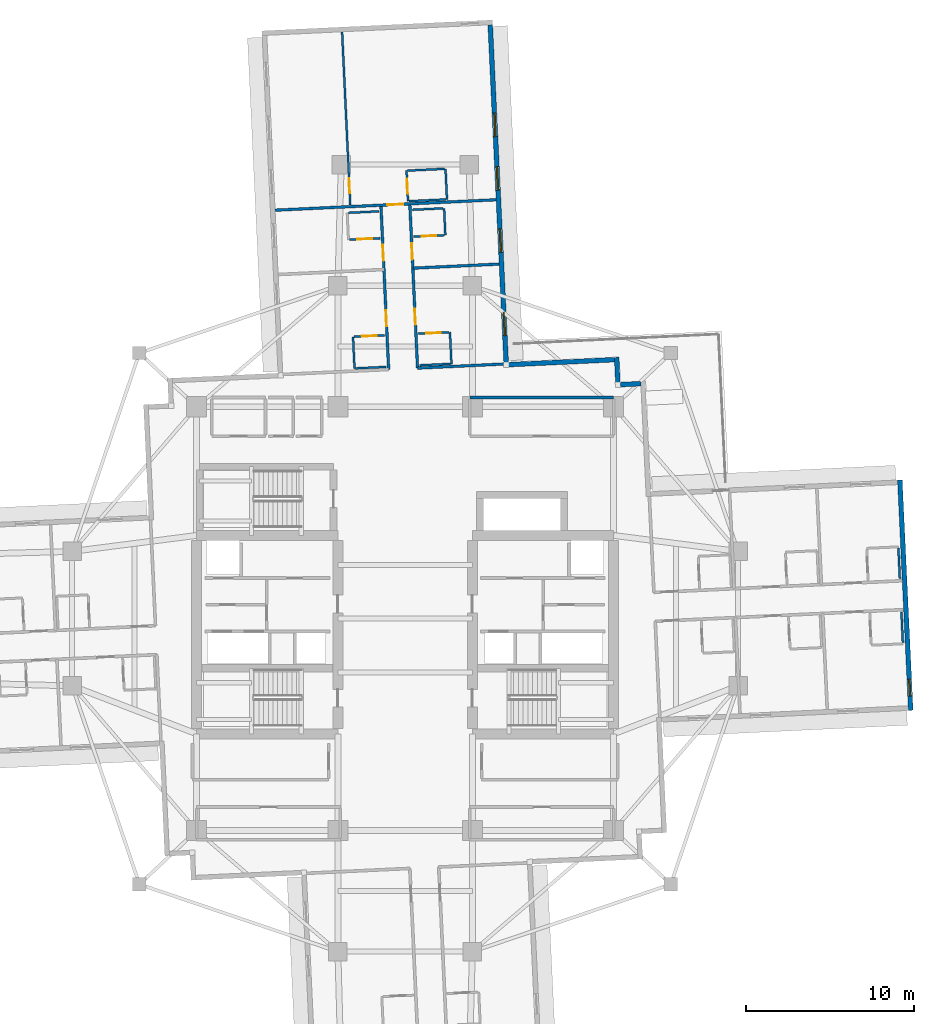
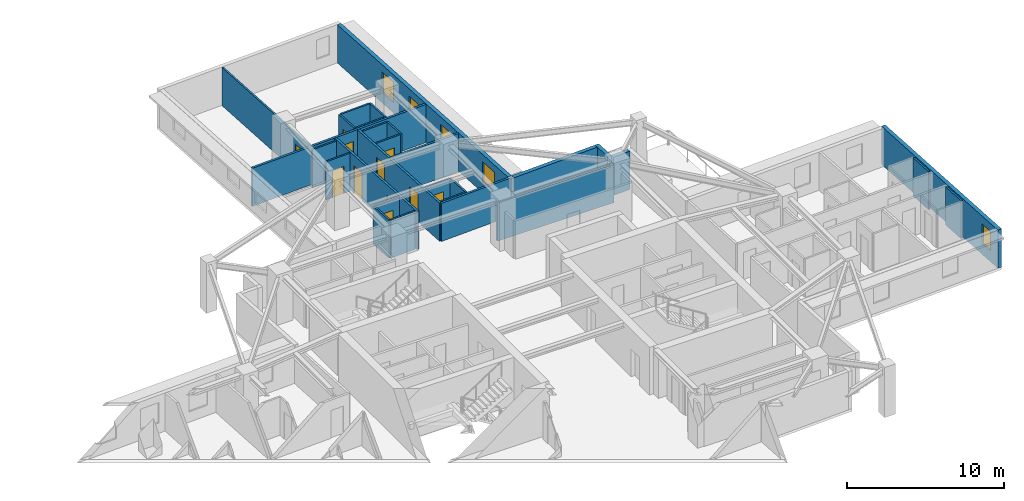
# One storey, part 8 of 14: 29 walls, 11 doors, 5 windows, 16 openings.
"""IFC4 building model written with IfcOpenShell, lengths in metres."""

from ifc_helpers import new_model, si_unit, direction, frame, frame_2d, origin, place, context, subcontext, project, spatial, rectangle, extrude, material, layer, layer_set, type_object, element, fill, save


model = new_model("IFC4")

# Units and contexts
model_context = context("Model", 3, precision=1e-05, world=origin(), true_north=direction((0.0, 1.0)))
body_context = subcontext(model_context, "Body", "Model", "MODEL_VIEW")
ifc_project = project(units=[si_unit("LENGTHUNIT", "METRE"), si_unit("AREAUNIT", "SQUARE_METRE"), si_unit("VOLUMEUNIT", "CUBIC_METRE"), si_unit("PLANEANGLEUNIT", "RADIAN"), si_unit("MASSUNIT", "GRAM", prefix="KILO")], contexts=[model_context])

# Site, building, storey
site_placement = place(None, origin())
site = spatial("IfcSite", under=ifc_project, at=site_placement, CompositionType="ELEMENT")
building_placement = place(site_placement, origin())
building = spatial("IfcBuilding", under=site, at=building_placement, Name="Qingluan Cross Belvedere", CompositionType="ELEMENT")
storey_placement = place(building_placement, frame((0.0, 0.0, 132.0)))
storey = spatial("IfcBuildingStorey", under=building, at=storey_placement, Name="L33", CompositionType="ELEMENT", Elevation=132.0)

# Wall
ifc_material_1 = material(Name="Gypsum plasterboard on steel stud acoustic partition", Category="steel")
ifc_layer_1 = layer(ifc_material_1, 0.159912109375, Name="CorridorPartition_160")
ifc_layer_set_1 = layer_set([ifc_layer_1], Name="Gypsum plasterboard on steel stud acoustic partition")
wall_type_1 = type_object("IfcWallType", Name="CorridorPartition_160", PredefinedType="PARTITIONING", material=ifc_layer_set_1)
wall_1_placement = place(storey_placement, frame((3.85009765625, 13.14990234375, 0.0), z_axis=(0.0, 0.0, 1.0), x_axis=(1.0, 0.0, 0.0)))
element("IfcWall", 1, at=wall_1_placement, inside=storey, type_object=wall_type_1, Name="Partition L33:q_ne:N", PredefinedType="PARTITIONING", context=body_context, shape_type="SweptSolid", body=[
    extrude(rectangle(XDim=8.5498046875, YDim=0.159912109375, at=frame_2d((4.27490234375, 0.0))), origin(), (0.0, 0.0, 1.0), 2.9599609375),
])

# Wall, openings, doors
wall_2_placement = place(storey_placement, frame((0.739013671875, 14.9013671875, 0.0), z_axis=(0.0, 0.0, 1.0), x_axis=(-0.047116711769, 0.99888939101, 0.0)))
wall_2 = element("IfcWall", 2, at=wall_2_placement, inside=storey, type_object=wall_type_1, Name="Partition L33:N:c0", PredefinedType="PARTITIONING", context=body_context, shape_type="SweptSolid", body=[
    extrude(rectangle(XDim=9.699951171875, YDim=0.159912109375, at=frame_2d((4.85009765625, 0.0))), origin(), (0.0, 0.0, 1.0), 2.9599609375),
])
opening_1_placement = place(wall_2_placement, frame((2.574951171875, 0.0, 0.0)))
opening_1 = element("IfcOpeningElement", 3, at=opening_1_placement, cuts=wall_2, Name="Opening GD-10", PredefinedType="OPENING", context=body_context, shape_type="SweptSolid", body=[
    extrude(rectangle(XDim=0.9599609375, YDim=2.14990234375, at=frame_2d((0.47998046875, 1.074951171875))), frame((0.0, 0.08984375, 0.0), z_axis=(0.0, -1.0, 0.0), x_axis=(1.0, 0.0, 0.0)), (0.0, 0.0, 1.0), 0.179931640625),
])
opening_2_placement = place(wall_2_placement, frame((6.467041015625, 0.0, 0.0)))
opening_2 = element("IfcOpeningElement", 4, at=opening_2_placement, cuts=wall_2, Name="Opening GD-10", PredefinedType="OPENING", context=body_context, shape_type="SweptSolid", body=[
    extrude(rectangle(XDim=0.9599609375, YDim=2.14990234375, at=frame_2d((0.47998046875, 1.074951171875))), frame((0.0, 0.08984375, 0.0), z_axis=(0.0, -1.0, 0.0), x_axis=(1.0, 0.0, 0.0)), (0.0, 0.0, 1.0), 0.179931640625),
])
ifc_material_2 = material(Name="Timber oak fire-rated acoustic guestroom door", Category="wood")
door_type_1 = type_object("IfcDoorType", Name="GuestEntryDoor_FD60", OperationType="NOTDEFINED", PredefinedType="DOOR", material=ifc_material_2)
door_1_placement = place(opening_1_placement, origin())
door_1 = element("IfcDoor", 5, at=door_1_placement, inside=storey, type_object=door_type_1, Name="Guest entry fire door 3311", OperationType="SINGLE_SWING_RIGHT", OverallHeight=2.14990234375, OverallWidth=0.9599609375, PredefinedType="DOOR", context=body_context, shape_type="SweptSolid", body=[
    extrude(rectangle(XDim=0.9599609375, YDim=2.14990234375, at=frame_2d((0.47998046875, 1.074951171875))), frame((0.0, 0.02490234375, 0.0), z_axis=(0.0, -1.0, 0.0), x_axis=(1.0, 0.0, 0.0)), (0.0, 0.0, 1.0), 0.050048828125),
])
fill(opening_1, door_1)
door_2_placement = place(opening_2_placement, origin())
door_2 = element("IfcDoor", 6, at=door_2_placement, inside=storey, type_object=door_type_1, Name="Guest entry fire door 3312", OperationType="SINGLE_SWING_RIGHT", OverallHeight=2.14990234375, OverallWidth=0.9599609375, PredefinedType="DOOR", context=body_context, shape_type="SweptSolid", body=[
    extrude(rectangle(XDim=0.9599609375, YDim=2.14990234375, at=frame_2d((0.47998046875, 1.074951171875))), frame((0.0, 0.02490234375, 0.0), z_axis=(0.0, -1.0, 0.0), x_axis=(1.0, 0.0, 0.0)), (0.0, 0.0, 1.0), 0.050048828125),
])
fill(opening_2, door_2)

# Walls
wall_3_placement = place(storey_placement, frame((0.739013671875, 14.9013671875, 0.0), z_axis=(0.0, 0.0, 1.0), x_axis=(0.998889275357, 0.047119163577, 0.0)))
element("IfcWall", 7, at=wall_3_placement, inside=storey, type_object=wall_type_1, Name="Partition L33:N:s0", PredefinedType="PARTITIONING", context=body_context, shape_type="SweptSolid", body=[
    extrude(rectangle(XDim=5.27978515625, YDim=0.159912109375, at=frame_2d((2.639892578125, 0.0))), origin(), (0.0, 0.0, 1.0), 2.9599609375),
])
wall_4_placement = place(storey_placement, frame((0.45849609375, 20.8447265625, 0.0), z_axis=(0.0, 0.0, 1.0), x_axis=(0.998890413328, 0.047095033298, 0.0)))
element("IfcWall", 8, at=wall_4_placement, inside=storey, type_object=wall_type_1, Name="Partition L33:N:d0_0", PredefinedType="PARTITIONING", context=body_context, shape_type="SweptSolid", body=[
    extrude(rectangle(XDim=5.132080078125, YDim=0.159912109375, at=frame_2d((2.56591796875, 0.0))), origin(), (0.0, 0.0, 1.0), 2.9599609375),
])

# Wall, openings, doors
wall_5_placement = place(storey_placement, frame((-0.979248046875, 14.8203125, 0.0), z_axis=(0.0, 0.0, 1.0), x_axis=(-0.047116711769, 0.99888939101, 0.0)))
wall_5 = element("IfcWall", 9, at=wall_5_placement, inside=storey, type_object=wall_type_1, Name="Partition L33:N:c1", PredefinedType="PARTITIONING", context=body_context, shape_type="SweptSolid", body=[
    extrude(rectangle(XDim=9.699951171875, YDim=0.159912109375, at=frame_2d((4.85009765625, 0.0))), origin(), (0.0, 0.0, 1.0), 2.9599609375),
])
opening_3_placement = place(wall_5_placement, frame((2.574951171875, 0.0, 0.0)))
opening_3 = element("IfcOpeningElement", 10, at=opening_3_placement, cuts=wall_5, Name="Opening GD-10", PredefinedType="OPENING", context=body_context, shape_type="SweptSolid", body=[
    extrude(rectangle(XDim=0.9599609375, YDim=2.14990234375, at=frame_2d((0.47998046875, 1.074951171875))), frame((0.0, 0.08984375, 0.0), z_axis=(0.0, -1.0, 0.0), x_axis=(1.0, 0.0, 0.0)), (0.0, 0.0, 1.0), 0.179931640625),
])
opening_4_placement = place(wall_5_placement, frame((6.467041015625, 0.0, 0.0)))
opening_4 = element("IfcOpeningElement", 11, at=opening_4_placement, cuts=wall_5, Name="Opening GD-10", PredefinedType="OPENING", context=body_context, shape_type="SweptSolid", body=[
    extrude(rectangle(XDim=0.9599609375, YDim=2.14990234375, at=frame_2d((0.47998046875, 1.074951171875))), frame((0.0, 0.08984375, 0.0), z_axis=(0.0, -1.0, 0.0), x_axis=(1.0, 0.0, 0.0)), (0.0, 0.0, 1.0), 0.179931640625),
])
door_3_placement = place(opening_3_placement, origin())
door_3 = element("IfcDoor", 12, at=door_3_placement, inside=storey, type_object=door_type_1, Name="Guest entry fire door 3313", OperationType="SINGLE_SWING_RIGHT", OverallHeight=2.14990234375, OverallWidth=0.9599609375, PredefinedType="DOOR", context=body_context, shape_type="SweptSolid", body=[
    extrude(rectangle(XDim=0.9599609375, YDim=2.14990234375, at=frame_2d((0.47998046875, 1.074951171875))), frame((0.0, 0.02490234375, 0.0), z_axis=(0.0, -1.0, 0.0), x_axis=(1.0, 0.0, 0.0)), (0.0, 0.0, 1.0), 0.050048828125),
])
fill(opening_3, door_3)
door_4_placement = place(opening_4_placement, origin())
door_4 = element("IfcDoor", 13, at=door_4_placement, inside=storey, type_object=door_type_1, Name="Guest entry fire door 3314", OperationType="SINGLE_SWING_RIGHT", OverallHeight=2.14990234375, OverallWidth=0.9599609375, PredefinedType="DOOR", context=body_context, shape_type="SweptSolid", body=[
    extrude(rectangle(XDim=0.9599609375, YDim=2.14990234375, at=frame_2d((0.47998046875, 1.074951171875))), frame((0.0, 0.02490234375, 0.0), z_axis=(0.0, -1.0, 0.0), x_axis=(1.0, 0.0, 0.0)), (0.0, 0.0, 1.0), 0.050048828125),
])
fill(opening_4, door_4)

# Wall, opening, door
wall_6_placement = place(storey_placement, frame((-7.724853515625, 24.293212890625, 0.0), z_axis=(0.0, 0.0, 1.0), x_axis=(0.998889967692, 0.047104484326, 0.0)))
wall_6 = element("IfcWall", 14, at=wall_6_placement, inside=storey, type_object=wall_type_1, Name="Partition L33:Ncap:in", PredefinedType="PARTITIONING", context=body_context, shape_type="SweptSolid", body=[
    extrude(rectangle(XDim=13.14404296875, YDim=0.159912109375, at=frame_2d((6.572021484375, 0.0))), origin(), (0.0, 0.0, 1.0), 2.9599609375),
])
opening_5_placement = place(wall_6_placement, frame((6.672119140625, 0.0, 0.0)))
opening_5 = element("IfcOpeningElement", 15, at=opening_5_placement, cuts=wall_6, Name="Opening GD-10", PredefinedType="OPENING", context=body_context, shape_type="SweptSolid", body=[
    extrude(rectangle(XDim=0.9599609375, YDim=2.14990234375, at=frame_2d((0.47998046875, 1.074951171875))), frame((0.0, 0.08984375, 0.0), z_axis=(0.0, -1.0, 0.0), x_axis=(1.0, 0.0, 0.0)), (0.0, 0.0, 1.0), 0.179931640625),
])
door_5_placement = place(opening_5_placement, origin())
door_5 = element("IfcDoor", 16, at=door_5_placement, inside=storey, type_object=door_type_1, Name="Horizon corner suite door L33N", OperationType="SINGLE_SWING_LEFT", OverallHeight=2.14990234375, OverallWidth=0.9599609375, PredefinedType="DOOR", context=body_context, shape_type="SweptSolid", body=[
    extrude(rectangle(XDim=0.9599609375, YDim=2.14990234375, at=frame_2d((0.47998046875, 1.074951171875))), frame((0.0, 0.02490234375, 0.0), z_axis=(0.0, -1.0, 0.0), x_axis=(1.0, 0.0, 0.0)), (0.0, 0.0, 1.0), 0.050048828125),
])
fill(opening_5, door_5)

# Walls
ifc_material_3 = material(Name="Moisture-resistant gypsum board lining")
ifc_layer_2 = layer(ifc_material_3, 0.1201171875, Name="EnsuiteWetPartition_120")
ifc_layer_set_2 = layer_set([ifc_layer_2], Name="Moisture-resistant gypsum board lining")
wall_type_2 = type_object("IfcWallType", Name="EnsuiteWetPartition_120", PredefinedType="PARTITIONING", material=ifc_layer_set_2)
for number, where, z_axis, x_axis, name in (
    (17, (29.420166015625, 2.388427734375, 0.0), (0.0, 0.0, 1.0), (-0.047080807099, 0.998891083954, 0.0), "Partition L33:E:bw0_2"),
    (18, (29.60009765625, -1.42724609375, 0.0), (0.0, 0.0, 1.0), (-0.047080807099, 0.998891083954, 0.0), "Partition L33:E:bw1_2"),
):
    element("IfcWall", number, at=place(storey_placement, frame(where, z_axis=z_axis, x_axis=x_axis)), inside=storey, type_object=wall_type_2, Name=name, PredefinedType="PARTITIONING", context=body_context, shape_type="SweptSolid", body=[
        extrude(rectangle(XDim=1.820068359375, YDim=0.1201171875, at=frame_2d((0.91015625, 0.0))), origin(), (0.0, 0.0, 1.0), 2.9599609375),
    ])

# Wall, opening, door
wall_7_placement = place(storey_placement, frame((0.78271484375, 16.94580078125, 0.0), z_axis=(0.0, 0.0, 1.0), x_axis=(0.998890786574, 0.047087116047, 0.0)))
wall_7 = element("IfcWall", 19, at=wall_7_placement, inside=storey, type_object=wall_type_2, Name="Partition L33:N:bs0_0", PredefinedType="PARTITIONING", context=body_context, shape_type="SweptSolid", body=[
    extrude(rectangle(XDim=1.81982421875, YDim=0.1201171875, at=frame_2d((0.909912109375, 0.0))), origin(), (0.0, 0.0, 1.0), 2.9599609375),
])
opening_6_placement = place(wall_7_placement, frame((0.469970703125, 0.0, 0.0)))
opening_6 = element("IfcOpeningElement", 20, at=opening_6_placement, cuts=wall_7, Name="Opening BD-09", PredefinedType="OPENING", context=body_context, shape_type="SweptSolid", body=[
    extrude(rectangle(XDim=0.8798828125, YDim=2.10009765625, at=frame_2d((0.43994140625, 1.050048828125))), frame((0.0, 0.070068359375, 0.0), z_axis=(0.0, -1.0, 0.0), x_axis=(1.0, 0.0, 0.0)), (0.0, 0.0, 1.0), 0.14013671875),
])
ifc_material_4 = material(Name="Moisture-sealed timber en-suite door", Category="wood")
door_type_2 = type_object("IfcDoorType", Name="BathroomDoor_880", OperationType="NOTDEFINED", PredefinedType="DOOR", material=ifc_material_4)
door_6_placement = place(opening_6_placement, origin())
door_6 = element("IfcDoor", 21, at=door_6_placement, inside=storey, type_object=door_type_2, Name="Bathroom door 3311", OperationType="SINGLE_SWING_LEFT", OverallHeight=2.10009765625, OverallWidth=0.8798828125, PredefinedType="DOOR", context=body_context, shape_type="SweptSolid", body=[
    extrude(rectangle(XDim=0.8798828125, YDim=2.10009765625, at=frame_2d((0.43994140625, 1.050048828125))), frame((0.0, 0.02490234375, 0.0), z_axis=(0.0, -1.0, 0.0), x_axis=(1.0, 0.0, 0.0)), (0.0, 0.0, 1.0), 0.050048828125),
])
fill(opening_6, door_6)

# Walls
wall_8_placement = place(storey_placement, frame((0.87109375, 15.06787109375, 0.0), z_axis=(0.0, 0.0, 1.0), x_axis=(0.998891083954, 0.047080807099, 0.0)))
element("IfcWall", 22, at=wall_8_placement, inside=storey, type_object=wall_type_2, Name="Partition L33:N:bw0_0", PredefinedType="PARTITIONING", context=body_context, shape_type="SweptSolid", body=[
    extrude(rectangle(XDim=1.820068359375, YDim=0.1201171875, at=frame_2d((0.91015625, 0.0))), origin(), (0.0, 0.0, 1.0), 2.9599609375),
])
wall_9_placement = place(storey_placement, frame((2.754150390625, 15.156494140625, 0.0), z_axis=(0.0, 0.0, 1.0), x_axis=(-0.047139425368, 0.998888319371, 0.0)))
element("IfcWall", 23, at=wall_9_placement, inside=storey, type_object=wall_type_2, Name="Partition L33:N:bn0_0", PredefinedType="PARTITIONING", context=body_context, shape_type="SweptSolid", body=[
    extrude(rectangle(XDim=1.880126953125, YDim=0.1201171875, at=frame_2d((0.93994140625, 0.0))), origin(), (0.0, 0.0, 1.0), 2.9599609375),
])

# Wall, opening, door
wall_10_placement = place(storey_placement, frame((0.51025390625, 22.71923828125, 0.0), z_axis=(0.0, 0.0, 1.0), x_axis=(0.998891083954, 0.047080807099, 0.0)))
wall_10 = element("IfcWall", 24, at=wall_10_placement, inside=storey, type_object=wall_type_2, Name="Partition L33:N:bs0_1", PredefinedType="PARTITIONING", context=body_context, shape_type="SweptSolid", body=[
    extrude(rectangle(XDim=1.820068359375, YDim=0.1201171875, at=frame_2d((0.91015625, 0.0))), origin(), (0.0, 0.0, 1.0), 2.9599609375),
])
opening_7_placement = place(wall_10_placement, frame((0.469970703125, 0.0, 0.0)))
opening_7 = element("IfcOpeningElement", 25, at=opening_7_placement, cuts=wall_10, Name="Opening BD-09", PredefinedType="OPENING", context=body_context, shape_type="SweptSolid", body=[
    extrude(rectangle(XDim=0.8798828125, YDim=2.10009765625, at=frame_2d((0.43994140625, 1.050048828125))), frame((0.0, 0.070068359375, 0.0), z_axis=(0.0, -1.0, 0.0), x_axis=(1.0, 0.0, 0.0)), (0.0, 0.0, 1.0), 0.14013671875),
])
door_7_placement = place(opening_7_placement, origin())
door_7 = element("IfcDoor", 26, at=door_7_placement, inside=storey, type_object=door_type_2, Name="Bathroom door 3312", OperationType="SINGLE_SWING_LEFT", OverallHeight=2.10009765625, OverallWidth=0.8798828125, PredefinedType="DOOR", context=body_context, shape_type="SweptSolid", body=[
    extrude(rectangle(XDim=0.8798828125, YDim=2.10009765625, at=frame_2d((0.43994140625, 1.050048828125))), frame((0.0, 0.02490234375, 0.0), z_axis=(0.0, -1.0, 0.0), x_axis=(1.0, 0.0, 0.0)), (0.0, 0.0, 1.0), 0.050048828125),
])
fill(opening_7, door_7)

# Walls
wall_11_placement = place(storey_placement, frame((0.43505859375, 24.3173828125, 0.0), z_axis=(0.0, 0.0, 1.0), x_axis=(0.998884467853, 0.047220968666, 0.0)))
element("IfcWall", 27, at=wall_11_placement, inside=storey, type_object=wall_type_2, Name="Partition L33:N:bw0_1", PredefinedType="PARTITIONING", context=body_context, shape_type="SweptSolid", body=[
    extrude(rectangle(XDim=1.81982421875, YDim=0.1201171875, at=frame_2d((0.909912109375, 0.0))), origin(), (0.0, 0.0, 1.0), 2.9599609375),
])
wall_12_placement = place(storey_placement, frame((2.393310546875, 22.80810546875, 0.0), z_axis=(0.0, 0.0, 1.0), x_axis=(-0.047151895633, 0.998887730798, 0.0)))
element("IfcWall", 28, at=wall_12_placement, inside=storey, type_object=wall_type_2, Name="Partition L33:N:bn0_1", PredefinedType="PARTITIONING", context=body_context, shape_type="SweptSolid", body=[
    extrude(rectangle(XDim=1.599853515625, YDim=0.1201171875, at=frame_2d((0.7998046875, 0.0))), origin(), (0.0, 0.0, 1.0), 2.9599609375),
])

# Wall, opening, door
wall_13_placement = place(storey_placement, frame((-3.033203125, 16.765625, 0.0), z_axis=(0.0, 0.0, 1.0), x_axis=(0.998884766924, 0.047214641863, 0.0)))
wall_13 = element("IfcWall", 29, at=wall_13_placement, inside=storey, type_object=wall_type_2, Name="Partition L33:N:bs1_0", PredefinedType="PARTITIONING", context=body_context, shape_type="SweptSolid", body=[
    extrude(rectangle(XDim=1.820068359375, YDim=0.1201171875, at=frame_2d((0.91015625, 0.0))), origin(), (0.0, 0.0, 1.0), 2.9599609375),
])
opening_8_placement = place(wall_13_placement, frame((0.469970703125, 0.0, 0.0)))
opening_8 = element("IfcOpeningElement", 30, at=opening_8_placement, cuts=wall_13, Name="Opening BD-09", PredefinedType="OPENING", context=body_context, shape_type="SweptSolid", body=[
    extrude(rectangle(XDim=0.8798828125, YDim=2.10009765625, at=frame_2d((0.43994140625, 1.050048828125))), frame((0.0, 0.070068359375, 0.0), z_axis=(0.0, -1.0, 0.0), x_axis=(1.0, 0.0, 0.0)), (0.0, 0.0, 1.0), 0.14013671875),
])
door_8_placement = place(opening_8_placement, origin())
door_8 = element("IfcDoor", 31, at=door_8_placement, inside=storey, type_object=door_type_2, Name="Bathroom door 3313", OperationType="SINGLE_SWING_LEFT", OverallHeight=2.10009765625, OverallWidth=0.8798828125, PredefinedType="DOOR", context=body_context, shape_type="SweptSolid", body=[
    extrude(rectangle(XDim=0.8798828125, YDim=2.10009765625, at=frame_2d((0.43994140625, 1.050048828125))), frame((0.0, 0.02490234375, 0.0), z_axis=(0.0, -1.0, 0.0), x_axis=(1.0, 0.0, 0.0)), (0.0, 0.0, 1.0), 0.050048828125),
])
fill(opening_8, door_8)

# Walls
wall_14_placement = place(storey_placement, frame((-2.944580078125, 14.8876953125, 0.0), z_axis=(0.0, 0.0, 1.0), x_axis=(0.998884467853, 0.047220968666, 0.0)))
element("IfcWall", 32, at=wall_14_placement, inside=storey, type_object=wall_type_2, Name="Partition L33:N:bw1_0", PredefinedType="PARTITIONING", context=body_context, shape_type="SweptSolid", body=[
    extrude(rectangle(XDim=1.81982421875, YDim=0.1201171875, at=frame_2d((0.909912109375, 0.0))), origin(), (0.0, 0.0, 1.0), 2.9599609375),
])
wall_15_placement = place(storey_placement, frame((-3.009521484375, 14.884765625, 0.0), z_axis=(0.0, 0.0, 1.0), x_axis=(-0.047139425368, 0.998888319371, 0.0)))
element("IfcWall", 33, at=wall_15_placement, inside=storey, type_object=wall_type_2, Name="Partition L33:N:bc1_0", PredefinedType="PARTITIONING", context=body_context, shape_type="SweptSolid", body=[
    extrude(rectangle(XDim=1.880126953125, YDim=0.1201171875, at=frame_2d((0.93994140625, 0.0))), origin(), (0.0, 0.0, 1.0), 2.9599609375),
])

# Wall, opening, door
wall_16_placement = place(storey_placement, frame((-3.305419921875, 22.539306640625, 0.0), z_axis=(0.0, 0.0, 1.0), x_axis=(0.998891083954, 0.047080807099, 0.0)))
wall_16 = element("IfcWall", 34, at=wall_16_placement, inside=storey, type_object=wall_type_2, Name="Partition L33:N:bs1_1", PredefinedType="PARTITIONING", context=body_context, shape_type="SweptSolid", body=[
    extrude(rectangle(XDim=1.820068359375, YDim=0.1201171875, at=frame_2d((0.91015625, 0.0))), origin(), (0.0, 0.0, 1.0), 2.9599609375),
])
opening_9_placement = place(wall_16_placement, frame((0.469970703125, 0.0, 0.0)))
opening_9 = element("IfcOpeningElement", 35, at=opening_9_placement, cuts=wall_16, Name="Opening BD-09", PredefinedType="OPENING", context=body_context, shape_type="SweptSolid", body=[
    extrude(rectangle(XDim=0.8798828125, YDim=2.10009765625, at=frame_2d((0.43994140625, 1.050048828125))), frame((0.0, 0.070068359375, 0.0), z_axis=(0.0, -1.0, 0.0), x_axis=(1.0, 0.0, 0.0)), (0.0, 0.0, 1.0), 0.14013671875),
])
door_9_placement = place(opening_9_placement, origin())
door_9 = element("IfcDoor", 36, at=door_9_placement, inside=storey, type_object=door_type_2, Name="Bathroom door 3314", OperationType="SINGLE_SWING_LEFT", OverallHeight=2.10009765625, OverallWidth=0.8798828125, PredefinedType="DOOR", context=body_context, shape_type="SweptSolid", body=[
    extrude(rectangle(XDim=0.8798828125, YDim=2.10009765625, at=frame_2d((0.43994140625, 1.050048828125))), frame((0.0, 0.02490234375, 0.0), z_axis=(0.0, -1.0, 0.0), x_axis=(1.0, 0.0, 0.0)), (0.0, 0.0, 1.0), 0.050048828125),
])
fill(opening_9, door_9)

# Wall
wall_17_placement = place(storey_placement, frame((-3.380859375, 24.137451171875, 0.0), z_axis=(0.0, 0.0, 1.0), x_axis=(0.998884766924, 0.047214641863, 0.0)))
element("IfcWall", 37, at=wall_17_placement, inside=storey, type_object=wall_type_2, Name="Partition L33:N:bw1_1", PredefinedType="PARTITIONING", context=body_context, shape_type="SweptSolid", body=[
    extrude(rectangle(XDim=1.820068359375, YDim=0.1201171875, at=frame_2d((0.91015625, 0.0))), origin(), (0.0, 0.0, 1.0), 2.9599609375),
])

# Wall, opening, door
wall_18_placement = place(storey_placement, frame((-3.26220703125, 24.593505859375, 0.0), z_axis=(0.0, 0.0, 1.0), x_axis=(-0.047089343138, 0.998890681588, 0.0)))
wall_18 = element("IfcWall", 38, at=wall_18_placement, inside=storey, type_object=wall_type_2, Name="Partition L33:Ncap:m2", PredefinedType="PARTITIONING", context=body_context, shape_type="SweptSolid", body=[
    extrude(rectangle(XDim=10.312255859375, YDim=0.1201171875, at=frame_2d((5.15625, 0.0))), origin(), (0.0, 0.0, 1.0), 2.9599609375),
])
opening_10_placement = place(wall_18_placement, frame((0.699951171875, 0.0, 0.0)))
opening_10 = element("IfcOpeningElement", 39, at=opening_10_placement, cuts=wall_18, Name="Opening BD-89", PredefinedType="OPENING", context=body_context, shape_type="SweptSolid", body=[
    extrude(rectangle(XDim=0.89990234375, YDim=2.10009765625, at=frame_2d((0.449951171875, 1.050048828125))), frame((0.0, 0.070068359375, 0.0), z_axis=(0.0, -1.0, 0.0), x_axis=(1.0, 0.0, 0.0)), (0.0, 0.0, 1.0), 0.14013671875),
])
ifc_material_5 = material(Name="Timber acoustic study door", Category="wood")
door_type_3 = type_object("IfcDoorType", Name="SuiteStudyDoor_900", OperationType="NOTDEFINED", PredefinedType="DOOR", material=ifc_material_5)
door_10_placement = place(opening_10_placement, origin())
door_10 = element("IfcDoor", 40, at=door_10_placement, inside=storey, type_object=door_type_3, Name="Suite private study door L33N", OperationType="SINGLE_SWING_LEFT", OverallHeight=2.10009765625, OverallWidth=0.89990234375, PredefinedType="DOOR", context=body_context, shape_type="SweptSolid", body=[
    extrude(rectangle(XDim=0.89990234375, YDim=2.10009765625, at=frame_2d((0.449951171875, 1.050048828125))), frame((0.0, 0.02490234375, 0.0), z_axis=(0.0, -1.0, 0.0), x_axis=(1.0, 0.0, 0.0)), (0.0, 0.0, 1.0), 0.050048828125),
])
fill(opening_10, door_10)

wall_19_placement = place(storey_placement, frame((0.170654296875, 24.82568359375, 0.0), z_axis=(0.0, 0.0, 1.0), x_axis=(-0.047087116047, 0.998890786574, 0.0)))
wall_19 = element("IfcWall", 41, at=wall_19_placement, inside=storey, type_object=wall_type_2, Name="Partition L33:Ncap:b2s", PredefinedType="PARTITIONING", context=body_context, shape_type="SweptSolid", body=[
    extrude(rectangle(XDim=1.81982421875, YDim=0.1201171875, at=frame_2d((0.909912109375, 0.0))), origin(), (0.0, 0.0, 1.0), 2.9599609375),
])
opening_11_placement = place(wall_19_placement, frame((0.449951171875, 0.0, 0.0)))
opening_11 = element("IfcOpeningElement", 42, at=opening_11_placement, cuts=wall_19, Name="Opening BD-09", PredefinedType="OPENING", context=body_context, shape_type="SweptSolid", body=[
    extrude(rectangle(XDim=0.8798828125, YDim=2.10009765625, at=frame_2d((0.43994140625, 1.050048828125))), frame((0.0, 0.070068359375, 0.0), z_axis=(0.0, -1.0, 0.0), x_axis=(1.0, 0.0, 0.0)), (0.0, 0.0, 1.0), 0.14013671875),
])
door_11_placement = place(opening_11_placement, origin())
door_11 = element("IfcDoor", 43, at=door_11_placement, inside=storey, type_object=door_type_2, Name="En-suite bathroom door L33N", OperationType="SINGLE_SWING_RIGHT", OverallHeight=2.10009765625, OverallWidth=0.8798828125, PredefinedType="DOOR", context=body_context, shape_type="SweptSolid", body=[
    extrude(rectangle(XDim=0.8798828125, YDim=2.10009765625, at=frame_2d((0.43994140625, 1.050048828125))), frame((0.0, 0.02490234375, 0.0), z_axis=(0.0, -1.0, 0.0), x_axis=(1.0, 0.0, 0.0)), (0.0, 0.0, 1.0), 0.050048828125),
])
fill(opening_11, door_11)

# Walls
wall_20_placement = place(storey_placement, frame((2.48828125, 24.934814453125, 0.0), z_axis=(0.0, 0.0, 1.0), x_axis=(-0.047214641863, 0.998884766924, 0.0)))
element("IfcWall", 44, at=wall_20_placement, inside=storey, type_object=wall_type_2, Name="Partition L33:Ncap:b2b", PredefinedType="PARTITIONING", context=body_context, shape_type="SweptSolid", body=[
    extrude(rectangle(XDim=1.820068359375, YDim=0.1201171875, at=frame_2d((0.91015625, 0.0))), origin(), (0.0, 0.0, 1.0), 2.9599609375),
])
wall_21_placement = place(storey_placement, frame((0.24072265625, 24.828857421875, 0.0), z_axis=(0.0, 0.0, 1.0), x_axis=(0.998887815408, 0.047150103183, 0.0)))
element("IfcWall", 45, at=wall_21_placement, inside=storey, type_object=wall_type_2, Name="Partition L33:Ncap:b2a", PredefinedType="PARTITIONING", context=body_context, shape_type="SweptSolid", body=[
    extrude(rectangle(XDim=2.179931640625, YDim=0.1201171875, at=frame_2d((1.08984375, 0.0))), origin(), (0.0, 0.0, 1.0), 2.9599609375),
])
wall_22_placement = place(storey_placement, frame((0.15478515625, 26.64697265625, 0.0), z_axis=(0.0, 0.0, 1.0), x_axis=(0.998893331673, 0.047033094092, 0.0)))
element("IfcWall", 46, at=wall_22_placement, inside=storey, type_object=wall_type_2, Name="Partition L33:Ncap:b2n", PredefinedType="PARTITIONING", context=body_context, shape_type="SweptSolid", body=[
    extrude(rectangle(XDim=2.18017578125, YDim=0.1201171875, at=frame_2d((1.090087890625, 0.0))), origin(), (0.0, 0.0, 1.0), 2.9599609375),
])

# Wall, opening, window
ifc_material_6 = material(Name="Precast concrete C45", Category="concrete")
ifc_layer_3 = layer(ifc_material_6, 0.280029296875, Name="PrecastFacadeWall_280")
ifc_layer_set_3 = layer_set([ifc_layer_3], Name="Precast concrete C45")
wall_type_3 = type_object("IfcWallType", Name="PrecastFacadeWall_280", PredefinedType="STANDARD", material=ifc_layer_set_3)
wall_23_placement = place(storey_placement, frame((30.070068359375, -5.44970703125, 0.0), z_axis=(0.0, 0.0, 1.0), x_axis=(-0.047101845086, 0.998890092147, 0.0)))
wall_23 = element("IfcWall", 47, at=wall_23_placement, inside=storey, type_object=wall_type_3, Name="Arm tip precast facade wall L33-E", PredefinedType="STANDARD", context=body_context, shape_type="SweptSolid", body=[
    extrude(rectangle(XDim=13.719970703125, YDim=0.280029296875, at=frame_2d((6.85986328125, 0.0))), origin(), (0.0, 0.0, 1.0), 2.969970703125),
])
opening_12_placement = place(wall_23_placement, frame((0.85009765625, 0.0, 0.85009765625)))
opening_12 = element("IfcOpeningElement", 48, at=opening_12_placement, cuts=wall_23, Name="Opening W-03", PredefinedType="OPENING", context=body_context, shape_type="SweptSolid", body=[
    extrude(rectangle(XDim=1.0, YDim=1.5, at=frame_2d((0.5, 0.75))), frame((0.0, 0.14990234375, 0.0), z_axis=(0.0, -1.0, 0.0), x_axis=(1.0, 0.0, 0.0)), (0.0, 0.0, 1.0), 0.300048828125),
])
ifc_material_7 = material(Name="Thermally broken triple Low-E glass in aluminium frame", Category="aluminium")
window_type_1 = type_object("IfcWindowType", Name="TriApexWin_1000x1500", PartitioningType="SINGLE_PANEL", PredefinedType="WINDOW", material=ifc_material_7)
window_1_placement = place(opening_12_placement, origin())
window_1 = element("IfcWindow", 49, at=window_1_placement, inside=storey, type_object=window_type_1, Name="Arm tip triangular window L33-E", OverallHeight=1.5, OverallWidth=1.0, PartitioningType="SINGLE_PANEL", PredefinedType="WINDOW", context=body_context, shape_type="SweptSolid", body=[
    extrude(rectangle(XDim=1.0, YDim=1.5, at=frame_2d((0.5, 0.75))), frame((0.0, 0.030029296875, 0.0), z_axis=(0.0, -1.0, 0.0), x_axis=(1.0, 0.0, 0.0)), (0.0, 0.0, 1.0), 0.06005859375),
])
fill(opening_12, window_1)

# Wall, openings, windows
wall_24_placement = place(storey_placement, frame((6.0087890625, 15.239990234375, 0.0), z_axis=(0.0, 0.0, 1.0), x_axis=(-0.047103473814, 0.998890015344, 0.0)))
wall_24 = element("IfcWall", 50, at=wall_24_placement, inside=storey, type_object=wall_type_3, Name="Facade wall L33-NA", PredefinedType="STANDARD", context=body_context, shape_type="SweptSolid", body=[
    extrude(rectangle(XDim=20.099853515625, YDim=0.280029296875, at=frame_2d((10.0498046875, 0.0))), origin(), (0.0, 0.0, 1.0), 2.969970703125),
])
opening_13_placement = place(wall_24_placement, frame((1.60009765625, 0.0, 0.800048828125)))
opening_13 = element("IfcOpeningElement", 51, at=opening_13_placement, cuts=wall_24, Name="Opening W-01", PredefinedType="OPENING", context=body_context, shape_type="SweptSolid", body=[
    extrude(rectangle(XDim=1.39990234375, YDim=1.60009765625, at=frame_2d((0.699951171875, 0.800048828125))), frame((0.0, 0.14990234375, 0.0), z_axis=(0.0, -1.0, 0.0), x_axis=(1.0, 0.0, 0.0)), (0.0, 0.0, 1.0), 0.300048828125),
])
opening_14_placement = place(wall_24_placement, frame((6.550048828125, 0.0, 0.800048828125)))
opening_14 = element("IfcOpeningElement", 52, at=opening_14_placement, cuts=wall_24, Name="Opening W-01", PredefinedType="OPENING", context=body_context, shape_type="SweptSolid", body=[
    extrude(rectangle(XDim=1.39990234375, YDim=1.60009765625, at=frame_2d((0.699951171875, 0.800048828125))), frame((0.0, 0.14990234375, 0.0), z_axis=(0.0, -1.0, 0.0), x_axis=(1.0, 0.0, 0.0)), (0.0, 0.0, 1.0), 0.300048828125),
])
opening_15_placement = place(wall_24_placement, frame((10.25, 0.0, 0.800048828125)))
opening_15 = element("IfcOpeningElement", 53, at=opening_15_placement, cuts=wall_24, Name="Opening W-01", PredefinedType="OPENING", context=body_context, shape_type="SweptSolid", body=[
    extrude(rectangle(XDim=1.39990234375, YDim=1.60009765625, at=frame_2d((0.699951171875, 0.800048828125))), frame((0.0, 0.14990234375, 0.0), z_axis=(0.0, -1.0, 0.0), x_axis=(1.0, 0.0, 0.0)), (0.0, 0.0, 1.0), 0.300048828125),
])
opening_16_placement = place(wall_24_placement, frame((13.449951171875, 0.0, 0.800048828125)))
opening_16 = element("IfcOpeningElement", 54, at=opening_16_placement, cuts=wall_24, Name="Opening W-01", PredefinedType="OPENING", context=body_context, shape_type="SweptSolid", body=[
    extrude(rectangle(XDim=1.39990234375, YDim=1.60009765625, at=frame_2d((0.699951171875, 0.800048828125))), frame((0.0, 0.14990234375, 0.0), z_axis=(0.0, -1.0, 0.0), x_axis=(1.0, 0.0, 0.0)), (0.0, 0.0, 1.0), 0.300048828125),
])
ifc_material_8 = material(Name="Thermally broken triple Low-E glass in aluminium frame", Category="aluminium")
window_type_2 = type_object("IfcWindowType", Name="TriRibbonWin_1400x1600", PartitioningType="SINGLE_PANEL", PredefinedType="WINDOW", material=ifc_material_8)
window_2_placement = place(opening_13_placement, origin())
window_2 = element("IfcWindow", 55, at=window_2_placement, inside=storey, type_object=window_type_2, Name="Ribbon window L33-NA-1", OverallHeight=1.60009765625, OverallWidth=1.39990234375, PartitioningType="SINGLE_PANEL", PredefinedType="WINDOW", context=body_context, shape_type="SweptSolid", body=[
    extrude(rectangle(XDim=1.39990234375, YDim=1.60009765625, at=frame_2d((0.699951171875, 0.800048828125))), frame((0.0, 0.030029296875, 0.0), z_axis=(0.0, -1.0, 0.0), x_axis=(1.0, 0.0, 0.0)), (0.0, 0.0, 1.0), 0.06005859375),
])
fill(opening_13, window_2)
window_3_placement = place(opening_14_placement, origin())
window_3 = element("IfcWindow", 56, at=window_3_placement, inside=storey, type_object=window_type_2, Name="Ribbon window L33-NA-2", OverallHeight=1.60009765625, OverallWidth=1.39990234375, PartitioningType="SINGLE_PANEL", PredefinedType="WINDOW", context=body_context, shape_type="SweptSolid", body=[
    extrude(rectangle(XDim=1.39990234375, YDim=1.60009765625, at=frame_2d((0.699951171875, 0.800048828125))), frame((0.0, 0.030029296875, 0.0), z_axis=(0.0, -1.0, 0.0), x_axis=(1.0, 0.0, 0.0)), (0.0, 0.0, 1.0), 0.06005859375),
])
fill(opening_14, window_3)
window_4_placement = place(opening_15_placement, origin())
window_4 = element("IfcWindow", 57, at=window_4_placement, inside=storey, type_object=window_type_2, Name="Ribbon window L33-NA-3", OverallHeight=1.60009765625, OverallWidth=1.39990234375, PartitioningType="SINGLE_PANEL", PredefinedType="WINDOW", context=body_context, shape_type="SweptSolid", body=[
    extrude(rectangle(XDim=1.39990234375, YDim=1.60009765625, at=frame_2d((0.699951171875, 0.800048828125))), frame((0.0, 0.030029296875, 0.0), z_axis=(0.0, -1.0, 0.0), x_axis=(1.0, 0.0, 0.0)), (0.0, 0.0, 1.0), 0.06005859375),
])
fill(opening_15, window_4)
window_5_placement = place(opening_16_placement, origin())
window_5 = element("IfcWindow", 58, at=window_5_placement, inside=storey, type_object=window_type_2, Name="Ribbon window L33-NA-4", OverallHeight=1.60009765625, OverallWidth=1.39990234375, PartitioningType="SINGLE_PANEL", PredefinedType="WINDOW", context=body_context, shape_type="SweptSolid", body=[
    extrude(rectangle(XDim=1.39990234375, YDim=1.60009765625, at=frame_2d((0.699951171875, 0.800048828125))), frame((0.0, 0.030029296875, 0.0), z_axis=(0.0, -1.0, 0.0), x_axis=(1.0, 0.0, 0.0)), (0.0, 0.0, 1.0), 0.06005859375),
])
fill(opening_16, window_5)

# Walls
wall_25_placement = place(storey_placement, frame((14.01708984375, 13.975830078125, 0.0), z_axis=(0.0, 0.0, 1.0), x_axis=(-0.998883930236, -0.047232339719, 0.0)))
element("IfcWall", 59, at=wall_25_placement, inside=storey, type_object=wall_type_3, Name="Corner wall L33-NE2", PredefinedType="STANDARD", context=body_context, shape_type="SweptSolid", body=[
    extrude(rectangle(XDim=1.219970703125, YDim=0.280029296875, at=frame_2d((0.60986328125, 0.0))), origin(), (0.0, 0.0, 1.0), 2.969970703125),
])
wall_26_placement = place(storey_placement, frame((12.652099609375, 14.051513671875, 0.0), z_axis=(0.0, 0.0, 1.0), x_axis=(-0.047039284441, 0.99889304018, 0.0)))
element("IfcWall", 60, at=wall_26_placement, inside=storey, type_object=wall_type_3, Name="Corner wall L33-NE3", PredefinedType="STANDARD", context=body_context, shape_type="SweptSolid", body=[
    extrude(rectangle(XDim=1.5, YDim=0.280029296875, at=frame_2d((0.75, 0.0))), origin(), (0.0, 0.0, 1.0), 2.969970703125),
])
wall_27_placement = place(storey_placement, frame((12.4482421875, 15.403564453125, 0.0), z_axis=(0.0, 0.0, 1.0), x_axis=(-0.998889082162, -0.047123258997, 0.0)))
element("IfcWall", 61, at=wall_27_placement, inside=storey, type_object=wall_type_3, Name="Corner wall L33-NE4", PredefinedType="STANDARD", context=body_context, shape_type="SweptSolid", body=[
    extrude(rectangle(XDim=6.300048828125, YDim=0.280029296875, at=frame_2d((3.14990234375, 0.0))), origin(), (0.0, 0.0, 1.0), 2.969970703125),
])

save(model, "model.ifc")
